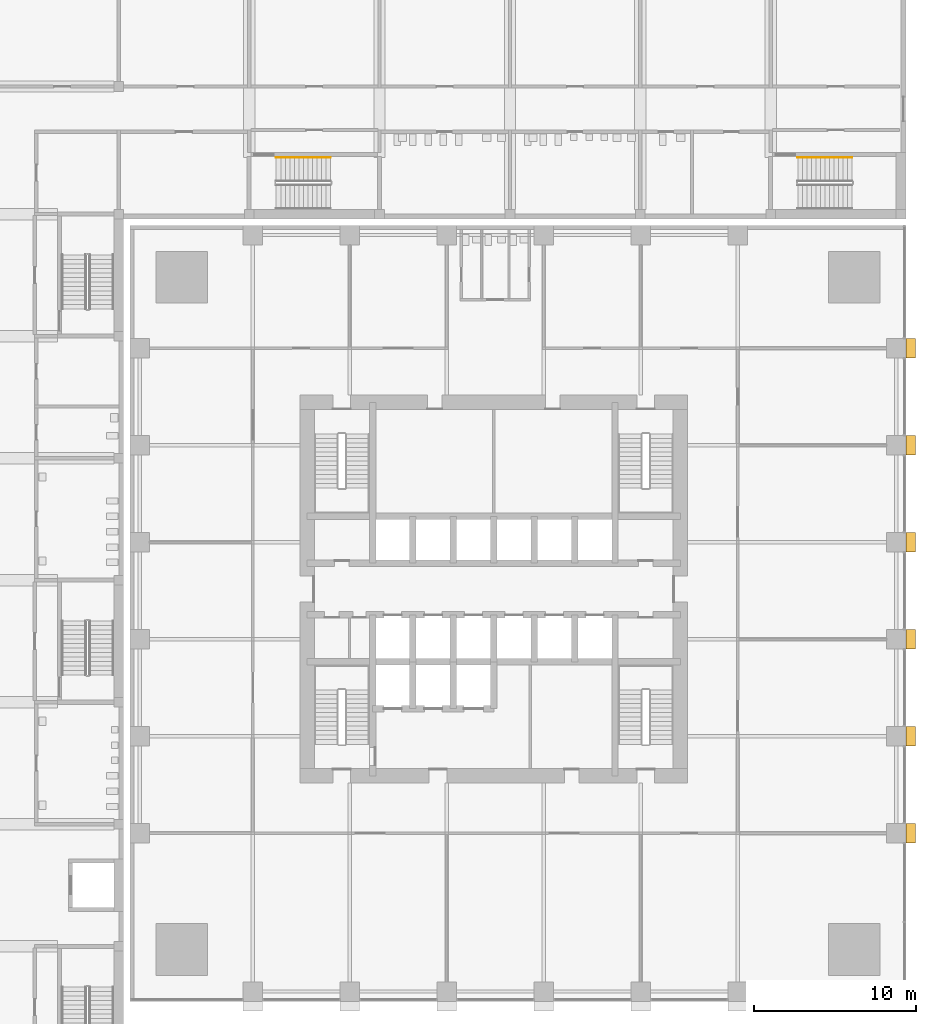
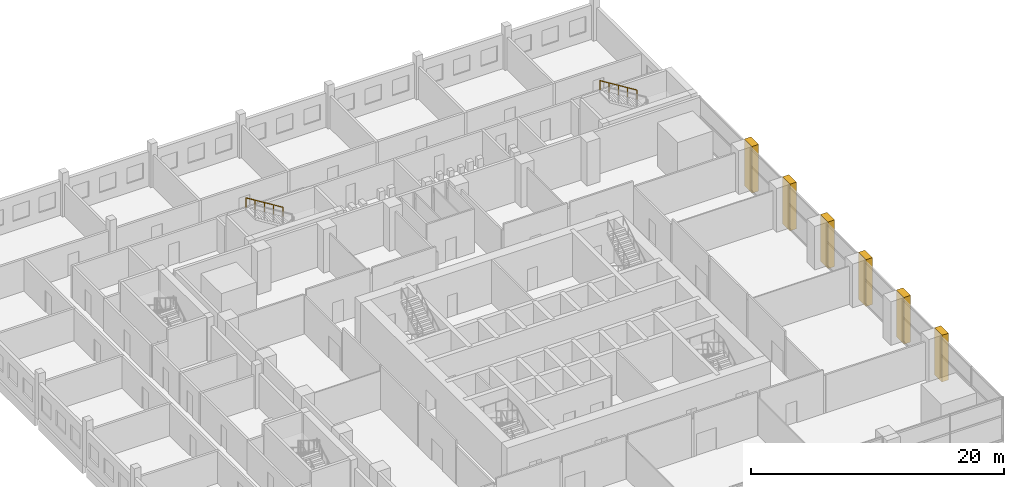
# One storey, part 24 of 25: 6 coverings, 2 railings.
"""IFC4 building model written with IfcOpenShell, lengths in metres."""

from ifc_helpers import new_model, si_unit, direction, frame, origin, origin_2d, place, context, subcontext, project, spatial, polyline, circle, outline, extrude, material, layer, layer_set, type_object, element, save


model = new_model("IFC4")

# Units and contexts
model_context = context("Model", 3, precision=1e-05, world=origin(), true_north=direction((0.0, 1.0)))
body_context = subcontext(model_context, "Body", "Model", "MODEL_VIEW")
ifc_project = project(units=[si_unit("LENGTHUNIT", "METRE"), si_unit("AREAUNIT", "SQUARE_METRE"), si_unit("VOLUMEUNIT", "CUBIC_METRE"), si_unit("PLANEANGLEUNIT", "RADIAN"), si_unit("MASSUNIT", "GRAM", prefix="KILO")], contexts=[model_context])

# Site, building, storey
site_placement = place(None, origin())
site = spatial("IfcSite", under=ifc_project, at=site_placement, CompositionType="ELEMENT")
building_placement = place(site_placement, origin())
building = spatial("IfcBuilding", under=site, at=building_placement, Name="Amberfall Residences", CompositionType="ELEMENT")
storey_placement = place(building_placement, frame((0.0, 0.0, 10.0)))
storey = spatial("IfcBuildingStorey", under=building, at=storey_placement, Name="L02", CompositionType="ELEMENT", Elevation=10.0)

# Coverings
ifc_material_1 = material(Name="Pale stone cladding on insulated backing", Category="masonry")
ifc_layer = layer(ifc_material_1, 1.199951171875)
ifc_layer_set = layer_set([ifc_layer], Name="Podium stone pier 1200 x 600")
covering_type = type_object("IfcCoveringType", Name="Podium stone pier 1200 x 600", PredefinedType="CLADDING", material=ifc_layer_set)
covering_1_placement = place(storey_placement, frame((0.0, 0.0, -0.300048828125)))
element("IfcCovering", 1, at=covering_1_placement, inside=storey, type_object=covering_type, Name="Podium pier L02 E1", PredefinedType="CLADDING", context=body_context, shape_type="SweptSolid", body=[
    extrude(outline(polyline([(100.0, 29.800048828125), (100.0, 31.0), (100.60009765625, 31.0), (100.60009765625, 29.800048828125), (100.0, 29.800048828125)])), origin(), (0.0, 0.0, 1.0), 4.5),
])
covering_2_placement = place(storey_placement, frame((0.0, 0.0, -0.300048828125)))
element("IfcCovering", 2, at=covering_2_placement, inside=storey, type_object=covering_type, Name="Podium pier L02 E2", PredefinedType="CLADDING", context=body_context, shape_type="SweptSolid", body=[
    extrude(outline(polyline([(100.0, 35.800048828125), (100.0, 37.0), (100.60009765625, 37.0), (100.60009765625, 35.800048828125), (100.0, 35.800048828125)])), origin(), (0.0, 0.0, 1.0), 4.5),
])
covering_3_placement = place(storey_placement, frame((0.0, 0.0, -0.300048828125)))
element("IfcCovering", 3, at=covering_3_placement, inside=storey, type_object=covering_type, Name="Podium pier L02 E3", PredefinedType="CLADDING", context=body_context, shape_type="SweptSolid", body=[
    extrude(outline(polyline([(100.0, 41.800048828125), (100.0, 43.0), (100.60009765625, 43.0), (100.60009765625, 41.800048828125), (100.0, 41.800048828125)])), origin(), (0.0, 0.0, 1.0), 4.5),
])
covering_4_placement = place(storey_placement, frame((0.0, 0.0, -0.300048828125)))
element("IfcCovering", 4, at=covering_4_placement, inside=storey, type_object=covering_type, Name="Podium pier L02 E4", PredefinedType="CLADDING", context=body_context, shape_type="SweptSolid", body=[
    extrude(outline(polyline([(100.0, 47.800048828125), (100.0, 49.0), (100.60009765625, 49.0), (100.60009765625, 47.800048828125), (100.0, 47.800048828125)])), origin(), (0.0, 0.0, 1.0), 4.5),
])
covering_5_placement = place(storey_placement, frame((0.0, 0.0, -0.300048828125)))
element("IfcCovering", 5, at=covering_5_placement, inside=storey, type_object=covering_type, Name="Podium pier L02 E5", PredefinedType="CLADDING", context=body_context, shape_type="SweptSolid", body=[
    extrude(outline(polyline([(100.0, 53.800048828125), (100.0, 55.0), (100.60009765625, 55.0), (100.60009765625, 53.800048828125), (100.0, 53.800048828125)])), origin(), (0.0, 0.0, 1.0), 4.5),
])
covering_6_placement = place(storey_placement, frame((0.0, 0.0, -0.300048828125)))
element("IfcCovering", 6, at=covering_6_placement, inside=storey, type_object=covering_type, Name="Podium pier L02 E6", PredefinedType="CLADDING", context=body_context, shape_type="SweptSolid", body=[
    extrude(outline(polyline([(100.0, 59.800048828125), (100.0, 61.0), (100.60009765625, 61.0), (100.60009765625, 59.800048828125), (100.0, 59.800048828125)])), origin(), (0.0, 0.0, 1.0), 4.5),
])

# Railings
ifc_material_2 = material(Name="Stainless steel", Category="steel")
railing_type = type_object("IfcRailingType", Name="School stair handrail", PredefinedType="HANDRAIL", material=ifc_material_2)
railing_1_placement = place(storey_placement, frame((64.402099609375, 72.199951171875, 2.423095703125)))
element("IfcRailing", 7, at=railing_1_placement, inside=storey, type_object=railing_type, Name="L02 SS4 stair handrail 2", PredefinedType="HANDRAIL", context=body_context, shape_type="SweptSolid", body=[
    extrude(circle(Radius=0.02392578125, at=origin_2d()), frame((0.0, 0.0, 0.8759765625), z_axis=(-0.850623216509, 0.0, 0.525775754039), x_axis=(0.0, -1.0, 0.0)), (0.0, 0.0, 1.0), 3.9501953125),
    extrude(circle(Radius=0.02099609375, at=origin_2d()), origin(), (0.0, 0.0, 1.0), 0.851806640625),
    extrude(circle(Radius=0.02099609375, at=origin_2d()), frame((-0.840087890625, 0.0, 0.519287109375)), (0.0, 0.0, 1.0), 0.851806640625),
    extrude(circle(Radius=0.02099609375, at=origin_2d()), frame((-1.68017578125, 0.0, 1.03857421875)), (0.0, 0.0, 1.0), 0.851806640625),
    extrude(circle(Radius=0.02099609375, at=origin_2d()), frame((-2.52001953125, 0.0, 1.5576171875)), (0.0, 0.0, 1.0), 0.851806640625),
    extrude(circle(Radius=0.02099609375, at=origin_2d()), frame((-3.360107421875, 0.0, 2.076904296875)), (0.0, 0.0, 1.0), 0.851806640625),
])
railing_2_placement = place(storey_placement, frame((96.66796875, 72.199951171875, 2.423095703125)))
element("IfcRailing", 8, at=railing_2_placement, inside=storey, type_object=railing_type, Name="L02 SS5 stair handrail 2", PredefinedType="HANDRAIL", context=body_context, shape_type="SweptSolid", body=[
    extrude(circle(Radius=0.02392578125, at=origin_2d()), frame((0.0, 0.0, 0.8759765625), z_axis=(-0.850606129759, 0.0, 0.525803396734), x_axis=(0.0, -1.0, 0.0)), (0.0, 0.0, 1.0), 3.949951171875),
    extrude(circle(Radius=0.02099609375, at=origin_2d()), origin(), (0.0, 0.0, 1.0), 0.851806640625),
    extrude(circle(Radius=0.02099609375, at=origin_2d()), frame((-0.83984375, 0.0, 0.519287109375)), (0.0, 0.0, 1.0), 0.851806640625),
    extrude(circle(Radius=0.02099609375, at=origin_2d()), frame((-1.679931640625, 0.0, 1.03857421875)), (0.0, 0.0, 1.0), 0.851806640625),
    extrude(circle(Radius=0.02099609375, at=origin_2d()), frame((-2.52001953125, 0.0, 1.5576171875)), (0.0, 0.0, 1.0), 0.851806640625),
    extrude(circle(Radius=0.02099609375, at=origin_2d()), frame((-3.35986328125, 0.0, 2.076904296875)), (0.0, 0.0, 1.0), 0.851806640625),
])

save(model, "model.ifc")
